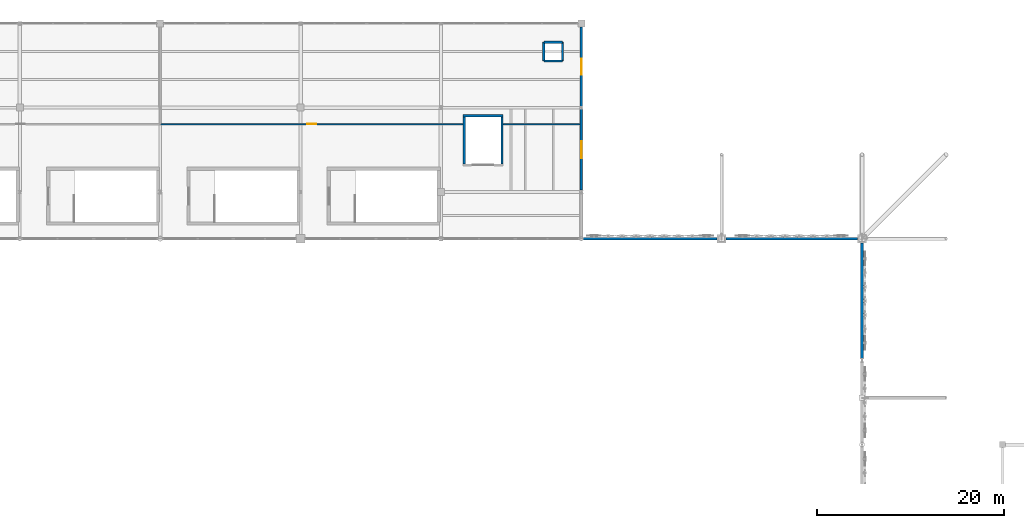
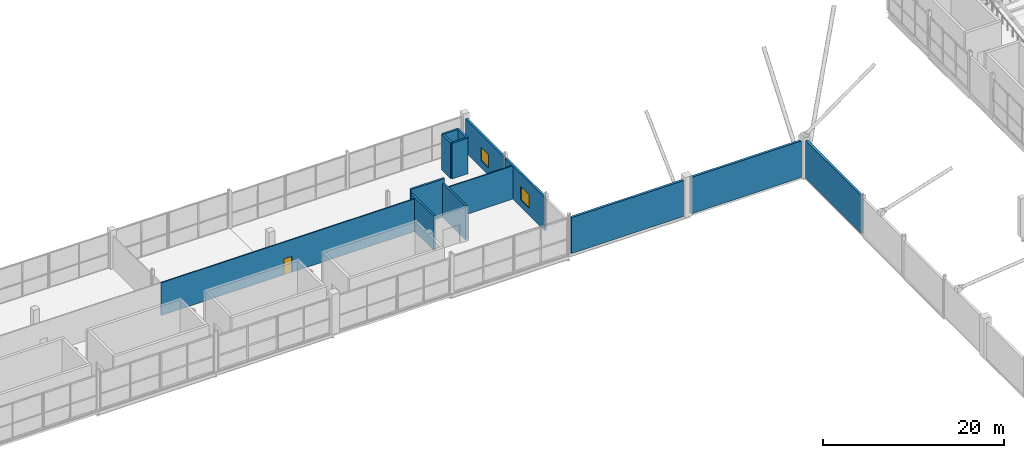
# One storey, part 91 of 119: 14 walls, 2 windows, 1 door, 3 openings.
"""IFC4 building model written with IfcOpenShell, lengths in metres."""

from ifc_helpers import new_model, si_unit, direction, frame, frame_2d, origin, place, context, subcontext, project, spatial, rectangle, extrude, material, layer, layer_set, type_object, element, fill, save


model = new_model("IFC4")

# Units and contexts
model_context = context("Model", 3, precision=1e-05, world=origin(), true_north=direction((0.0, 1.0)))
body_context = subcontext(model_context, "Body", "Model", "MODEL_VIEW")
ifc_project = project(units=[si_unit("LENGTHUNIT", "METRE"), si_unit("AREAUNIT", "SQUARE_METRE"), si_unit("VOLUMEUNIT", "CUBIC_METRE"), si_unit("PLANEANGLEUNIT", "RADIAN"), si_unit("MASSUNIT", "GRAM", prefix="KILO")], contexts=[model_context])

# Site, building, storey
site_placement = place(None, origin())
site = spatial("IfcSite", under=ifc_project, at=site_placement, CompositionType="ELEMENT")
building_placement = place(site_placement, origin())
building = spatial("IfcBuilding", under=site, at=building_placement, Name="Qamarlyn Nura Convention Centre", CompositionType="ELEMENT")
storey_placement = place(building_placement, frame((0.0, 0.0, 5.39990234375)))
storey = spatial("IfcBuildingStorey", under=building, at=storey_placement, Name="L01", CompositionType="ELEMENT", Elevation=5.39990234375)

# Wall, opening, window
ifc_material_1 = material(Name="Concrete C40/50", Category="concrete")
ifc_layer_1 = layer(ifc_material_1, 0.280029296875, Name="WT-EXT-280")
ifc_layer_set_1 = layer_set([ifc_layer_1], Name="Concrete C40/50")
wall_type_1 = type_object("IfcWallType", Name="WT-EXT-280", PredefinedType="SOLIDWALL", material=ifc_layer_set_1)
wall_1_placement = place(storey_placement, frame((90.0, 125.625, 0.0), z_axis=(0.0, 0.0, 1.0), x_axis=(0.0, -1.0, 0.0)))
wall_1 = element("IfcWall", 1, at=wall_1_placement, inside=storey, type_object=wall_type_1, Name="L01 exterior facade wall WEXT-L01-900-1256-900-1172", PredefinedType="SOLIDWALL", context=body_context, shape_type="SweptSolid", body=[
    extrude(rectangle(XDim=8.470947265625, YDim=0.280029296875, at=frame_2d((4.2353515625, 0.0))), origin(), (0.0, 0.0, 1.0), 4.506103515625),
])
opening_1_placement = place(wall_1_placement, frame((3.385498046875, 0.0, 0.949951171875)))
opening_1 = element("IfcOpeningElement", 2, at=opening_1_placement, cuts=wall_1, Name="Opening WN03", PredefinedType="OPENING", context=body_context, shape_type="SweptSolid", body=[
    extrude(rectangle(XDim=1.699951171875, YDim=1.800048828125, at=frame_2d((0.85009765625, 0.89990234375))), frame((0.0, 0.14990234375, 0.0), z_axis=(0.0, -1.0, 0.0), x_axis=(1.0, 0.0, 0.0)), (0.0, 0.0, 1.0), 0.300048828125),
])
ifc_material_2 = material(Name="Double-silver low-E insulated glass", Category="glass")
window_type_1 = type_object("IfcWindowType", Name="WIN-SOL-03", PartitioningType="SINGLE_PANEL", PredefinedType="WINDOW", material=ifc_material_2)
window_1_placement = place(opening_1_placement, origin())
window_1 = element("IfcWindow", 3, at=window_1_placement, inside=storey, type_object=window_type_1, Name="L01 solar-control window 003", OverallHeight=1.800048828125, OverallWidth=1.699951171875, PartitioningType="SINGLE_PANEL", PredefinedType="WINDOW", context=body_context, shape_type="SweptSolid", body=[
    extrude(rectangle(XDim=1.699951171875, YDim=1.800048828125, at=frame_2d((0.85009765625, 0.89990234375))), frame((0.0, 0.030029296875, 0.0), z_axis=(0.0, -1.0, 0.0), x_axis=(1.0, 0.0, 0.0)), (0.0, 0.0, 1.0), 0.06005859375),
])
fill(opening_1, window_1)

wall_2_placement = place(storey_placement, frame((90.0, 116.845947265625, 0.0), z_axis=(0.0, 0.0, 1.0), x_axis=(0.0, -1.0, 0.0)))
wall_2 = element("IfcWall", 4, at=wall_2_placement, inside=storey, type_object=wall_type_1, Name="L01 exterior facade wall WEXT-L01-900-1168-900-1082", PredefinedType="SOLIDWALL", context=body_context, shape_type="SweptSolid", body=[
    extrude(rectangle(XDim=8.659912109375, YDim=0.280029296875, at=frame_2d((4.330078125, 0.0))), origin(), (0.0, 0.0, 1.0), 4.4951171875),
])
opening_2_placement = place(wall_2_placement, frame((3.405029296875, 0.0, 0.949951171875)))
opening_2 = element("IfcOpeningElement", 5, at=opening_2_placement, cuts=wall_2, Name="Opening WN04", PredefinedType="OPENING", context=body_context, shape_type="SweptSolid", body=[
    extrude(rectangle(XDim=1.85009765625, YDim=1.800048828125, at=frame_2d((0.925048828125, 0.89990234375))), frame((0.0, 0.14990234375, 0.0), z_axis=(0.0, -1.0, 0.0), x_axis=(1.0, 0.0, 0.0)), (0.0, 0.0, 1.0), 0.300048828125),
])
window_type_2 = type_object("IfcWindowType", Name="WIN-SOL-04", PartitioningType="SINGLE_PANEL", PredefinedType="WINDOW", material=ifc_material_2)
window_2_placement = place(opening_2_placement, origin())
window_2 = element("IfcWindow", 6, at=window_2_placement, inside=storey, type_object=window_type_2, Name="L01 solar-control window 004", OverallHeight=1.800048828125, OverallWidth=1.85009765625, PartitioningType="SINGLE_PANEL", PredefinedType="WINDOW", context=body_context, shape_type="SweptSolid", body=[
    extrude(rectangle(XDim=1.85009765625, YDim=1.800048828125, at=frame_2d((0.925048828125, 0.89990234375))), frame((0.0, 0.030029296875, 0.0), z_axis=(0.0, -1.0, 0.0), x_axis=(1.0, 0.0, 0.0)), (0.0, 0.0, 1.0), 0.06005859375),
])
fill(opening_2, window_2)

# Walls
ifc_material_3 = material(Name="Concrete C40/50 with UAE coastal limestone stone facing", Category="masonry")
ifc_layer_2 = layer(ifc_material_3, 0.300048828125, Name="WT-LIME-300")
ifc_layer_set_2 = layer_set([ifc_layer_2], Name="Concrete C40/50 with UAE coastal limestone stone facing")
wall_type_2 = type_object("IfcWallType", Name="WT-LIME-300", PredefinedType="SOLIDWALL", material=ifc_layer_set_2)
wall_3_placement = place(storey_placement, frame((90.203125, 103.0, 0.0), z_axis=(0.0, 0.0, 1.0), x_axis=(1.0, 0.0, 0.0)))
element("IfcWall", 7, at=wall_3_placement, inside=storey, type_object=wall_type_2, Name="L01 exterior facade wall WEXT-L01-902-1030-1045-1030", PredefinedType="SOLIDWALL", context=body_context, shape_type="SweptSolid", body=[
    extrude(rectangle(XDim=14.32177734375, YDim=0.300048828125, at=frame_2d((7.160888671875, 0.0))), origin(), (0.0, 0.0, 1.0), 4.84619140625),
])
wall_4_placement = place(storey_placement, frame((105.47509765625, 103.0, 0.0), z_axis=(0.0, 0.0, 1.0), x_axis=(1.0, 0.0, 0.0)))
element("IfcWall", 8, at=wall_4_placement, inside=storey, type_object=wall_type_2, Name="L01 exterior facade wall WEXT-L01-1055-1030-1195-1030", PredefinedType="SOLIDWALL", context=body_context, shape_type="SweptSolid", body=[
    extrude(rectangle(XDim=14.0498046875, YDim=0.300048828125, at=frame_2d((7.02490234375, 0.0))), origin(), (0.0, 0.0, 1.0), 4.919189453125),
])
wall_5_placement = place(storey_placement, frame((120.0, 102.52490234375, 0.0), z_axis=(0.0, 0.0, 1.0), x_axis=(0.0, -1.0, 0.0)))
element("IfcWall", 9, at=wall_5_placement, inside=storey, type_object=wall_type_2, Name="L01 exterior facade wall WEXT-L01-1200-1025-1200-902", PredefinedType="SOLIDWALL", context=body_context, shape_type="SweptSolid", body=[
    extrude(rectangle(XDim=12.3125, YDim=0.300048828125, at=frame_2d((6.15625, 0.0))), origin(), (0.0, 0.0, 1.0), 5.085205078125),
])
ifc_material_4 = material(Name="Acoustic double-stud gypsum partition")
ifc_layer_3 = layer(ifc_material_4, 0.135009765625, Name="WT-PART-135")
ifc_layer_set_3 = layer_set([ifc_layer_3], Name="Acoustic double-stud gypsum partition")
wall_type_3 = type_object("IfcWallType", Name="WT-PART-135", PredefinedType="PARTITIONING", material=ifc_layer_set_3)
wall_6_placement = place(storey_placement, frame((89.860107421875, 115.239990234375, 0.0), z_axis=(0.0, 0.0, 1.0), x_axis=(-1.0, 0.0, 0.0)))
element("IfcWall", 10, at=wall_6_placement, inside=storey, type_object=wall_type_3, Name="L01 interior partition L01-BRK-NW2-2-1", PredefinedType="PARTITIONING", context=body_context, shape_type="SweptSolid", body=[
    extrude(rectangle(XDim=8.210205078125, YDim=0.135009765625, at=frame_2d((4.10498046875, 0.0))), origin(), (0.0, 0.0, 1.0), 4.4951171875),
])

# Wall, opening, door
wall_7_placement = place(storey_placement, frame((77.35009765625, 115.239990234375, 0.0), z_axis=(0.0, 0.0, 1.0), x_axis=(-1.0, 0.0, 0.0)))
wall_7 = element("IfcWall", 11, at=wall_7_placement, inside=storey, type_object=wall_type_3, Name="L01 interior partition L01-BRK-NW2-38-1", PredefinedType="PARTITIONING", context=body_context, shape_type="SweptSolid", body=[
    extrude(rectangle(XDim=32.31005859375, YDim=0.135009765625, at=frame_2d((16.155029296875, 0.0))), origin(), (0.0, 0.0, 1.0), 4.4169921875),
])
opening_3_placement = place(wall_7_placement, frame((15.6650390625, 0.0, 0.0)))
opening_3 = element("IfcOpeningElement", 12, at=opening_3_placement, cuts=wall_7, Name="Opening D-L01-168", PredefinedType="OPENING", context=body_context, shape_type="SweptSolid", body=[
    extrude(rectangle(XDim=0.97998046875, YDim=2.14990234375, at=frame_2d((0.489990234375, 1.074951171875))), frame((0.0, 0.07763671875, 0.0), z_axis=(0.0, -1.0, 0.0), x_axis=(1.0, 0.0, 0.0)), (0.0, 0.0, 1.0), 0.155029296875),
])
ifc_material_5 = material(Name="Acoustic walnut timber leaf", Category="wood")
door_type = type_object("IfcDoorType", Name="DR-ROOM-0980", OperationType="NOTDEFINED", PredefinedType="DOOR", material=ifc_material_5)
door_placement = place(opening_3_placement, origin())
door = element("IfcDoor", 13, at=door_placement, inside=storey, type_object=door_type, Name="L01 North Breakout Meeting Suite 103 door D-L01-168", OperationType="SINGLE_SWING_LEFT", OverallHeight=2.14990234375, OverallWidth=0.97998046875, PredefinedType="DOOR", context=body_context, shape_type="SweptSolid", body=[
    extrude(rectangle(XDim=0.97998046875, YDim=2.14990234375, at=frame_2d((0.489990234375, 1.074951171875))), frame((0.0, 0.02490234375, 0.0), z_axis=(0.0, -1.0, 0.0), x_axis=(1.0, 0.0, 0.0)), (0.0, 0.0, 1.0), 0.050048828125),
])
fill(opening_3, door)

# Walls
ifc_material_6 = material(Name="Fire-rated acoustic gypsum board and mineral wool EI 120")
ifc_layer_4 = layer(ifc_material_6, 0.25, Name="WT-SHAFT-250")
ifc_layer_set_4 = layer_set([ifc_layer_4], Name="Fire-rated acoustic gypsum board and mineral wool EI 120")
wall_type_4 = type_object("IfcWallType", Name="WT-SHAFT-250", PredefinedType="SOLIDWALL", material=ifc_layer_set_4)
wall_8_placement = place(storey_placement, frame((81.64990234375, 116.125, 0.0), z_axis=(0.0, 0.0, 1.0), x_axis=(-1.0, 0.0, 0.0)))
element("IfcWall", 14, at=wall_8_placement, inside=storey, type_object=wall_type_4, Name="L01 lift shaft enclosure wall FL-01 +y", PredefinedType="SOLIDWALL", context=body_context, shape_type="SweptSolid", body=[
    extrude(rectangle(XDim=4.2998046875, YDim=0.25, at=frame_2d((2.14990234375, 0.0))), origin(), (0.0, 0.0, 1.0), 5.16015625),
])
for number, where, z_axis, x_axis, name in (
    (15, (77.47509765625, 116.0, 0.0), (0.0, 0.0, 1.0), (0.0, -1.0, 0.0), "L01 lift shaft enclosure wall FL-01 -x"),
    (16, (81.52490234375, 111.0, 0.0), (0.0, 0.0, 1.0), (0.0, 1.0, 0.0), "L01 lift shaft enclosure wall FL-01 +x"),
):
    element("IfcWall", number, at=place(storey_placement, frame(where, z_axis=z_axis, x_axis=x_axis)), inside=storey, type_object=wall_type_4, Name=name, PredefinedType="SOLIDWALL", context=body_context, shape_type="SweptSolid", body=[
        extrude(rectangle(XDim=5.0, YDim=0.25, at=frame_2d((2.5, 0.0))), origin(), (0.0, 0.0, 1.0), 4.58203125),
    ])
for number, where, z_axis, x_axis, name in (
    (17, (86.0, 122.0, 0.0), (0.0, 0.0, 1.0), (1.0, 0.0, 0.0), "L01 MEP riser shaft wall 19-S"),
    (18, (88.0, 124.0, 0.0), (0.0, 0.0, 1.0), (-1.0, 0.0, 0.0), "L01 MEP riser shaft wall 19-N"),
    (19, (86.0, 124.0, 0.0), (0.0, 0.0, 1.0), (0.0, -1.0, 0.0), "L01 MEP riser shaft wall 19-W"),
    (20, (88.0, 122.0, 0.0), (0.0, 0.0, 1.0), (0.0, 1.0, 0.0), "L01 MEP riser shaft wall 19-E"),
):
    element("IfcWall", number, at=place(storey_placement, frame(where, z_axis=z_axis, x_axis=x_axis)), inside=storey, type_object=wall_type_4, Name=name, PredefinedType="SOLIDWALL", context=body_context, shape_type="SweptSolid", body=[
        extrude(rectangle(XDim=2.0, YDim=0.25, at=frame_2d((1.0, 0.0))), origin(), (0.0, 0.0, 1.0), 4.81005859375),
    ])

save(model, "model.ifc")
